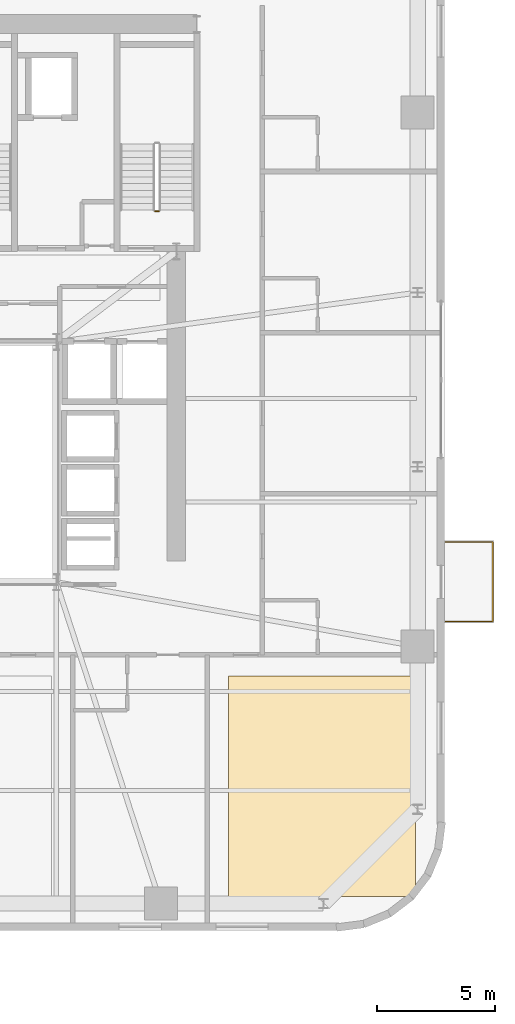
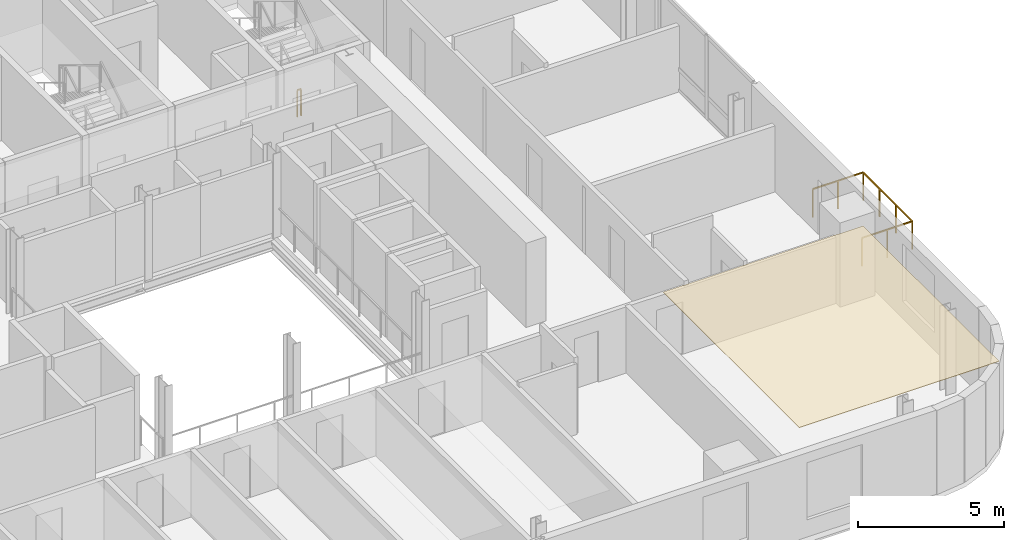
# One storey, part 14 of 16: 2 railings, 1 covering.
"""IFC4 building model written with IfcOpenShell, lengths in metres."""

from ifc_helpers import new_model, si_unit, direction, frame, origin, origin_2d, place, context, subcontext, project, spatial, polyline, rectangle, outline, extrude, source, transform, mapped, material, layer, layer_set, type_object, element, save


model = new_model("IFC4")

# Units and contexts
model_context = context("Model", 3, precision=1e-05, world=origin(), true_north=direction((0.0, 1.0)))
body_context = subcontext(model_context, "Body", "Model", "MODEL_VIEW")
ifc_project = project(units=[si_unit("LENGTHUNIT", "METRE"), si_unit("AREAUNIT", "SQUARE_METRE"), si_unit("VOLUMEUNIT", "CUBIC_METRE"), si_unit("PLANEANGLEUNIT", "RADIAN"), si_unit("MASSUNIT", "GRAM", prefix="KILO")], contexts=[model_context])

# Site, building, storey
site_placement = place(None, origin())
site = spatial("IfcSite", under=ifc_project, at=site_placement, CompositionType="ELEMENT")
building_placement = place(site_placement, origin())
building = spatial("IfcBuilding", under=site, at=building_placement, Name="Vardaveli Station Tower", CompositionType="ELEMENT")
storey_placement = place(building_placement, frame((0.0, 0.0, 184.800048828125)))
storey = spatial("IfcBuildingStorey", under=building, at=storey_placement, Name="L47", CompositionType="ELEMENT", Elevation=184.800048828125)

# Covering
ifc_material_1 = material(Name="Perforated acoustic mineral ceiling")
ifc_layer = layer(ifc_material_1, 0.02001953125, Name="Perforated acoustic mineral ceiling")
ifc_layer_set = layer_set([ifc_layer], Name="Perforated acoustic mineral ceiling")
covering_type = type_object("IfcCoveringType", Name="COV-CEIL-AC20", PredefinedType="CEILING", material=ifc_layer_set)
covering_placement = place(storey_placement, frame((0.0, 0.0, 3.514892578125)))
element("IfcCovering", 1, at=covering_placement, inside=storey, type_object=covering_type, Name="CEIL-L47-7", PredefinedType="CEILING", context=body_context, shape_type="SweptSolid", body=[
    extrude(outline(polyline([(48.719970703125, 3.25), (56.64990234375, 3.25), (56.64990234375, 12.610107421875), (48.719970703125, 12.610107421875), (48.719970703125, 3.25)])), origin(), (0.0, 0.0, 1.0), 0.02001953125),
])

# Railings
ifc_material_2 = material(Name="Laminated glass and stainless steel balustrade", Category="steel")
railing_type_1 = type_object("IfcRailingType", Name="RL-BAL-1200", PredefinedType="BALUSTRADE", material=ifc_material_2)
shared_shape_1 = source(origin(), body_context, "Body", "SweptSolid", [
    extrude(rectangle(XDim=0.048095703125, YDim=0.048095703125, at=origin_2d()), frame((0.0, 0.0, 1.17578125), z_axis=(1.0, 0.0, 0.0), x_axis=(0.0, 1.0, 0.0)), (0.0, 0.0, 1.0), 2.0),
    extrude(rectangle(XDim=0.048095703125, YDim=0.048095703125, at=origin_2d()), frame((2.0, 0.0, 1.17578125), z_axis=(0.0, 1.0, 0.0), x_axis=(-1.0, 0.0, 0.0)), (0.0, 0.0, 1.0), 3.3798828125),
    extrude(rectangle(XDim=0.048095703125, YDim=0.048095703125, at=origin_2d()), frame((2.0, 3.3798828125, 1.17578125), z_axis=(-1.0, 0.0, 0.0), x_axis=(0.0, -1.0, 0.0)), (0.0, 0.0, 1.0), 2.0),
    extrude(rectangle(XDim=0.0419921875, YDim=0.0419921875, at=origin_2d()), origin(), (0.0, 0.0, 1.0), 1.15185546875),
    extrude(rectangle(XDim=0.0419921875, YDim=0.0419921875, at=origin_2d()), frame((1.0, 0.0, 0.0)), (0.0, 0.0, 1.0), 1.15185546875),
    extrude(rectangle(XDim=0.0419921875, YDim=0.0419921875, at=origin_2d()), frame((2.0, 0.0, 0.0)), (0.0, 0.0, 1.0), 1.15185546875),
    extrude(rectangle(XDim=0.0419921875, YDim=0.0419921875, at=origin_2d()), frame((2.0, 1.126708984375, 0.0)), (0.0, 0.0, 1.0), 1.15185546875),
    extrude(rectangle(XDim=0.0419921875, YDim=0.0419921875, at=origin_2d()), frame((2.0, 2.253173828125, 0.0)), (0.0, 0.0, 1.0), 1.15185546875),
    extrude(rectangle(XDim=0.0419921875, YDim=0.0419921875, at=origin_2d()), frame((2.0, 3.3798828125, 0.0)), (0.0, 0.0, 1.0), 1.15185546875),
    extrude(rectangle(XDim=0.0419921875, YDim=0.0419921875, at=origin_2d()), frame((1.0, 3.3798828125, 0.0)), (0.0, 0.0, 1.0), 1.15185546875),
    extrude(rectangle(XDim=0.0419921875, YDim=0.0419921875, at=origin_2d()), frame((0.0, 3.3798828125, 0.0)), (0.0, 0.0, 1.0), 1.15185546875),
])
railing_1_placement = place(storey_placement, frame((57.93994140625, 14.92041015625, 0.0)))
element("IfcRailing", 2, at=railing_1_placement, inside=storey, type_object=railing_type_1, Name="RL-LOG-L47-04", PredefinedType="BALUSTRADE", context=body_context, shape_type="MappedRepresentation", body=[
    mapped(shared_shape_1, transform((0.0, 0.0, 0.0), scale=1.0)),
])
ifc_material_3 = material(Name="Brushed AISI 316 stainless steel", Category="steel")
railing_type_2 = type_object("IfcRailingType", Name="RL-GUARD-1150", PredefinedType="GUARDRAIL", material=ifc_material_3)
shared_shape_2 = source(origin(), body_context, "Body", "SweptSolid", [
    extrude(rectangle(XDim=0.048095703125, YDim=0.048095703125, at=origin_2d()), frame((0.0, 0.0, 1.1259765625), z_axis=(-1.0, 0.0, 0.0), x_axis=(0.0, -1.0, 0.0)), (0.0, 0.0, 1.0), 0.14990234375),
    extrude(rectangle(XDim=0.0419921875, YDim=0.0419921875, at=origin_2d()), origin(), (0.0, 0.0, 1.0), 1.101806640625),
    extrude(rectangle(XDim=0.0419921875, YDim=0.0419921875, at=origin_2d()), frame((-0.14990234375, 0.0, 0.0)), (0.0, 0.0, 1.0), 1.101806640625),
])
railing_2_placement = place(storey_placement, frame((45.75, 32.35009765625, 0.0)))
element("IfcRailing", 3, at=railing_2_placement, inside=storey, type_object=railing_type_2, Name="L47 ST-3 stair guard 4", PredefinedType="GUARDRAIL", context=body_context, shape_type="MappedRepresentation", body=[
    mapped(shared_shape_2, transform((0.0, 0.0, 0.0), scale=1.0)),
])

save(model, "model.ifc")
